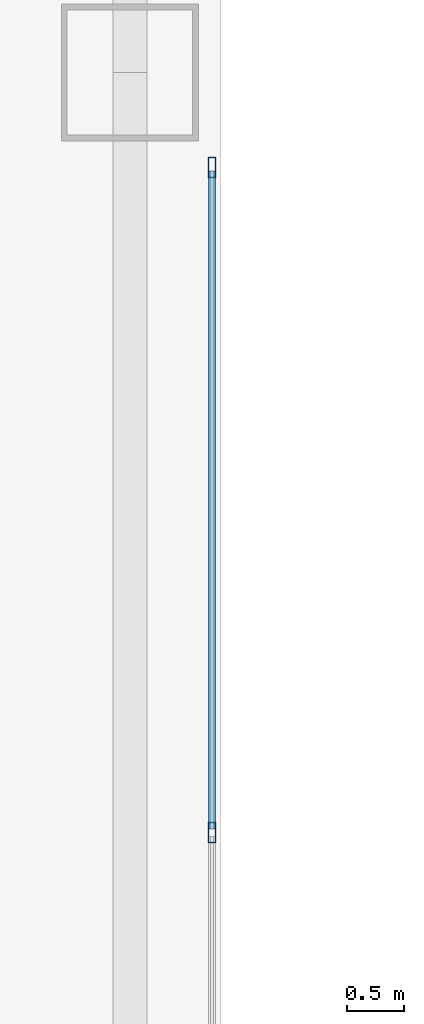
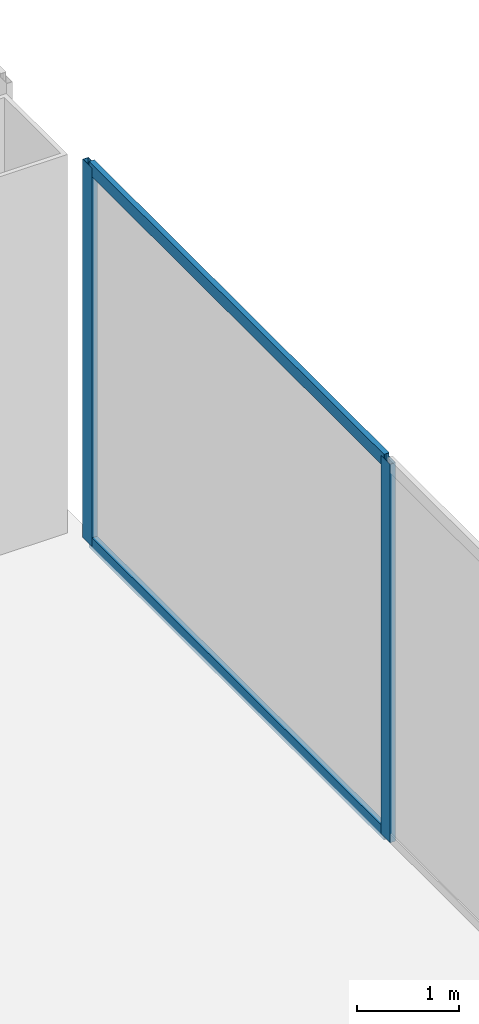
# One storey, part 42 of 58: 4 members, 1 element without a shape of its own.
"""IFC4 building model written with IfcOpenShell, lengths in metres."""

from ifc_helpers import new_model, si_unit, direction, frame, origin, origin_2d, place, context, subcontext, project, spatial, hollow_rectangle, extrude, source, transform, mapped, material, layer, layer_set, material_profile, profile_set, type_object, element, aggregate, save


model = new_model("IFC4")

# Units and contexts
model_context = context("Model", 3, precision=1e-05, world=origin(), true_north=direction((0.0, 1.0)))
body_context = subcontext(model_context, "Body", "Model", "MODEL_VIEW")
ifc_project = project(units=[si_unit("LENGTHUNIT", "METRE"), si_unit("AREAUNIT", "SQUARE_METRE"), si_unit("VOLUMEUNIT", "CUBIC_METRE"), si_unit("PLANEANGLEUNIT", "RADIAN"), si_unit("MASSUNIT", "GRAM", prefix="KILO"), si_unit("THERMODYNAMICTEMPERATUREUNIT", "KELVIN"), si_unit("POWERUNIT", "WATT")], contexts=[model_context])

# Site, building, storey
site_placement = place(None, origin())
site = spatial("IfcSite", under=ifc_project, at=site_placement, CompositionType="ELEMENT")
building_placement = place(site_placement, origin())
building = spatial("IfcBuilding", under=site, at=building_placement, Name="Yunzhuo Pagoda Commons", CompositionType="ELEMENT")
storey_placement = place(building_placement, origin())
storey = spatial("IfcBuildingStorey", under=building, at=storey_placement, Name="L01", CompositionType="ELEMENT", Elevation=0.0)

# Curtain wall, members
ifc_material = material(Name="Anodized aluminium 6063-T6", Category="aluminium")
ifc_layer = layer(ifc_material, 0.179931640625)
ifc_layer_set = layer_set([ifc_layer], Name="Anodized aluminium 6063-T6")
curtain_wall_type = type_object("IfcCurtainWallType", Name="CW-POD Waterfront Podium Curtain Wall", PredefinedType="NOTDEFINED", material=ifc_layer_set)
curtain_wall_placement = place(storey_placement, origin())
curtain_wall = element("IfcCurtainWall", 1, at=curtain_wall_placement, inside=storey, type_object=curtain_wall_type, Name="L01 curtain wall CW-L01-E4", PredefinedType="NOTDEFINED")
ifc_material_profile_1 = material_profile(ifc_material, hollow_rectangle(XDim=0.06494140625, YDim=0.179931640625, WallThickness=0.00390625, at=origin_2d()), Name="Anodized aluminium 6063-T6")
ifc_profile_set_1 = profile_set([ifc_material_profile_1], Name="Anodized aluminium 6063-T6")
member_type_1 = type_object("IfcMemberType", Name="CW-POD-M Mullion RHS 180x65x4", PredefinedType="MULLION", material=ifc_profile_set_1)
shared_shape_1 = source(origin(), body_context, "Body", "SweptSolid", [
    extrude(hollow_rectangle(XDim=0.06494140625, YDim=0.179931640625, WallThickness=0.00390625, at=origin_2d()), origin(), (0.0, 0.0, 1.0), 4.520263671875),
])
member_1_placement = place(storey_placement, frame((91.919921875, 74.533447265625, 0.0), z_axis=(0.0, 0.0, 1.0), x_axis=(-1.0, 0.0, 0.0)))
member_1 = element("IfcMember", 2, at=member_1_placement, type_object=member_type_1, Name="CW mullion 3", PredefinedType="MULLION", context=body_context, shape_type="MappedRepresentation", body=[
    mapped(shared_shape_1, transform((0.0, 0.0, 0.0), scale=1.0)),
])
member_2_placement = place(storey_placement, frame((91.919921875, 80.367431640625, 0.0), z_axis=(0.0, 0.0, 1.0), x_axis=(-1.0, 0.0, 0.0)))
member_2 = element("IfcMember", 3, at=member_2_placement, type_object=member_type_1, Name="CW mullion 4", PredefinedType="MULLION", context=body_context, shape_type="MappedRepresentation", body=[
    mapped(shared_shape_1, transform((0.0, 0.0, 0.0), scale=1.0)),
])
ifc_material_profile_2 = material_profile(ifc_material, hollow_rectangle(XDim=0.06005859375, YDim=0.14990234375, WallThickness=0.00390625, at=origin_2d()), Name="Anodized aluminium 6063-T6")
ifc_profile_set_2 = profile_set([ifc_material_profile_2], Name="Anodized aluminium 6063-T6")
member_type_2 = type_object("IfcMemberType", Name="CW-POD-T Transom RHS 150x60x4", PredefinedType="USERDEFINED", material=ifc_profile_set_2)
shared_shape_2 = source(origin(), body_context, "Body", "SweptSolid", [
    extrude(hollow_rectangle(XDim=0.06005859375, YDim=0.14990234375, WallThickness=0.00390625, at=origin_2d()), origin(), (0.0, 0.0, 1.0), 5.76904296875),
])
member_3_placement = place(storey_placement, frame((91.919921875, 74.56591796875, 0.030029296875), z_axis=(0.0, 1.0, 0.0), x_axis=(-1.0, 0.0, 0.0)))
member_3 = element("IfcMember", 4, at=member_3_placement, type_object=member_type_2, Name="CW transom 3.1", ObjectType="TRANSOM", PredefinedType="USERDEFINED", context=body_context, shape_type="MappedRepresentation", body=[
    mapped(shared_shape_2, transform((0.0, 0.0, 0.0), scale=1.0)),
])
member_4_placement = place(storey_placement, frame((91.919921875, 74.56591796875, 4.489990234375), z_axis=(0.0, 1.0, 0.0), x_axis=(-1.0, 0.0, 0.0)))
member_4 = element("IfcMember", 5, at=member_4_placement, type_object=member_type_2, Name="CW transom 3.2", ObjectType="TRANSOM", PredefinedType="USERDEFINED", context=body_context, shape_type="MappedRepresentation", body=[
    mapped(shared_shape_2, transform((0.0, 0.0, 0.0), scale=1.0)),
])
aggregate(curtain_wall, [member_1, member_2, member_3, member_4])

save(model, "model.ifc")
